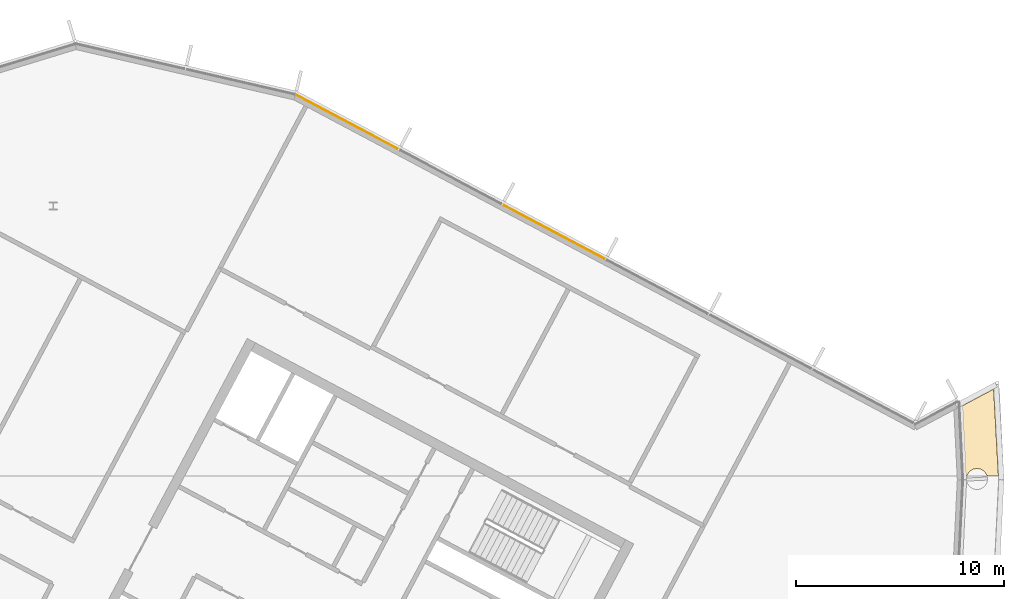
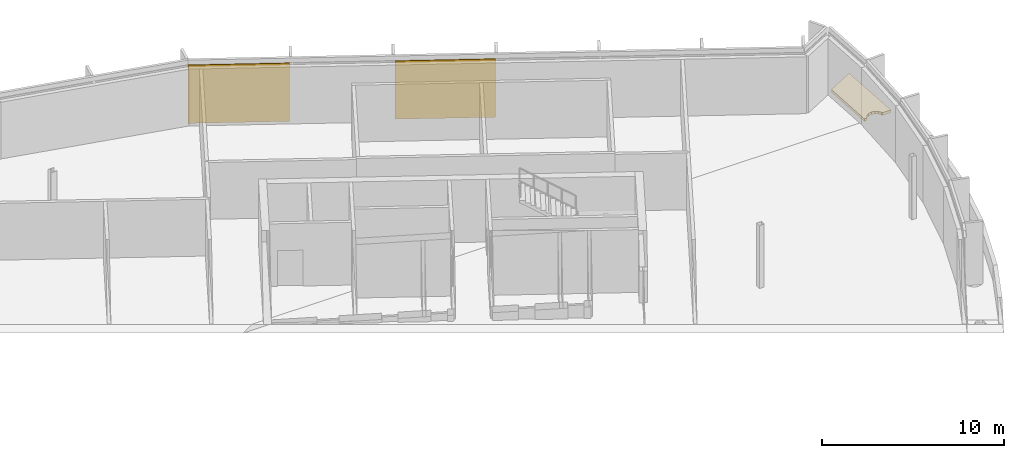
# One storey, part 15 of 15: 3 coverings, 1 element without a shape of its own.
"""IFC4 building model written with IfcOpenShell, lengths in metres."""

from ifc_helpers import new_model, si_unit, direction, frame, origin, origin_2d, place, context, subcontext, project, spatial, polyline, rectangle, outline, extrude, material, layer, layer_set, type_object, element, aggregate, save


model = new_model("IFC4")

# Units and contexts
model_context = context("Model", 3, precision=1e-05, world=origin(), true_north=direction((0.0, 1.0)))
body_context = subcontext(model_context, "Body", "Model", "MODEL_VIEW")
ifc_project = project(units=[si_unit("LENGTHUNIT", "METRE"), si_unit("AREAUNIT", "SQUARE_METRE"), si_unit("VOLUMEUNIT", "CUBIC_METRE"), si_unit("PLANEANGLEUNIT", "RADIAN"), si_unit("MASSUNIT", "GRAM", prefix="KILO")], contexts=[model_context])

# Site, building, storey
site_placement = place(None, origin())
site = spatial("IfcSite", under=ifc_project, at=site_placement, CompositionType="ELEMENT")
building_placement = place(site_placement, origin())
building = spatial("IfcBuilding", under=site, at=building_placement, Name="Cormorant Relay Tower", CompositionType="ELEMENT")
storey_placement = place(building_placement, frame((0.0, 0.0, 336.60009765625)))
storey = spatial("IfcBuildingStorey", under=building, at=storey_placement, Name="C3", CompositionType="ELEMENT", Elevation=336.60009765625)

# Curtain wall, coverings
ifc_material_1 = material(Name="Aluminium 6063-T6 anodised bronze", Category="aluminium")
ifc_layer_1 = layer(ifc_material_1, 0.199951171875)
ifc_layer_set_1 = layer_set([ifc_layer_1], Name="CW3 crown screen wall")
curtain_wall_type = type_object("IfcCurtainWallType", Name="CW3 crown screen wall", PredefinedType="NOTDEFINED", material=ifc_layer_set_1)
curtain_wall_placement = place(storey_placement, origin())
curtain_wall = element("IfcCurtainWall", 1, at=curtain_wall_placement, inside=storey, type_object=curtain_wall_type, Name="CW3 curtain wall 15", PredefinedType="NOTDEFINED")
ifc_material_2 = material(Name="Perforated bronze anodised aluminium screen", Category="aluminium")
ifc_layer_2 = layer(ifc_material_2, 0.0400390625)
ifc_layer_set_2 = layer_set([ifc_layer_2], Name="CW3 perforated bronze screen panel 40")
covering_type_1 = type_object("IfcCoveringType", Name="CW3 perforated bronze screen panel 40", PredefinedType="CLADDING", material=ifc_layer_set_2)
covering_1_placement = place(storey_placement, frame((-17.4169921875, 33.0673828125, 0.0), z_axis=(0.0, 0.0, 1.0), x_axis=(-0.882947592859, 0.469471562786, 0.0)))
covering_1 = element("IfcCovering", 2, at=covering_1_placement, type_object=covering_type_1, Name="CW3 panel X03", PredefinedType="CLADDING", context=body_context, shape_type="SweptSolid", body=[
    extrude(rectangle(XDim=5.489013671875, YDim=0.0400390625, at=origin_2d()), origin(), (0.0, 0.0, 1.0), 3.89990234375),
])
covering_2_placement = place(storey_placement, frame((-27.407958984375, 38.379638671875, 0.0), z_axis=(0.0, 0.0, 1.0), x_axis=(-0.882947592859, 0.469471562786, 0.0)))
covering_2 = element("IfcCovering", 3, at=covering_2_placement, type_object=covering_type_1, Name="CW3 panel X05", PredefinedType="CLADDING", context=body_context, shape_type="SweptSolid", body=[
    extrude(rectangle(XDim=5.56396484375, YDim=0.0400390625, at=origin_2d()), origin(), (0.0, 0.0, 1.0), 3.89990234375),
])
aggregate(curtain_wall, [covering_1, covering_2])

# Covering
ifc_material_3 = material(Name="Bituminous waterproof membrane on mineral wool insulation")
ifc_layer_3 = layer(ifc_material_3, 0.179931640625)
ifc_layer_set_3 = layer_set([ifc_layer_3], Name="Roof membrane and insulation 180")
covering_type_2 = type_object("IfcCoveringType", Name="Roof membrane and insulation 180", PredefinedType="ROOFING", material=ifc_layer_set_3)
covering_3_placement = place(storey_placement, origin())
element("IfcCovering", 4, at=covering_3_placement, inside=storey, type_object=covering_type_2, Name="Roof membrane", PredefinedType="ROOFING", context=body_context, shape_type="SweptSolid", body=[
    extrude(outline(polyline([(2.308837890625, 21.300048828125), (2.145263671875, 24.630126953125), (3.765869140625, 25.49169921875), (3.997314453125, 21.300048828125), (3.448974609375, 21.300048828125), (3.43798828125, 21.355712890625), (3.327392578125, 21.521484375), (3.16162109375, 21.632080078125), (2.966552734375, 21.6708984375), (2.771240234375, 21.632080078125), (2.605712890625, 21.521484375), (2.4951171875, 21.355712890625), (2.48388671875, 21.300048828125), (2.308837890625, 21.300048828125)])), origin(), (0.0, 0.0, 1.0), 0.179931640625),
])

save(model, "model.ifc")
